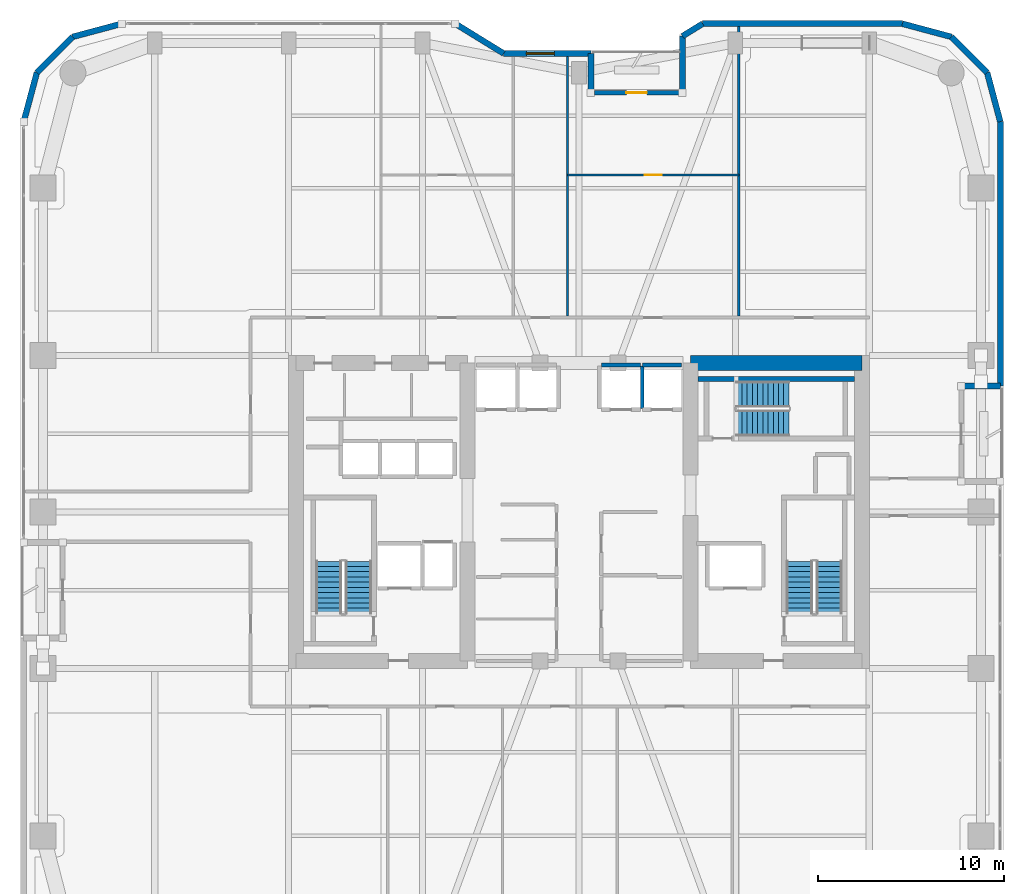
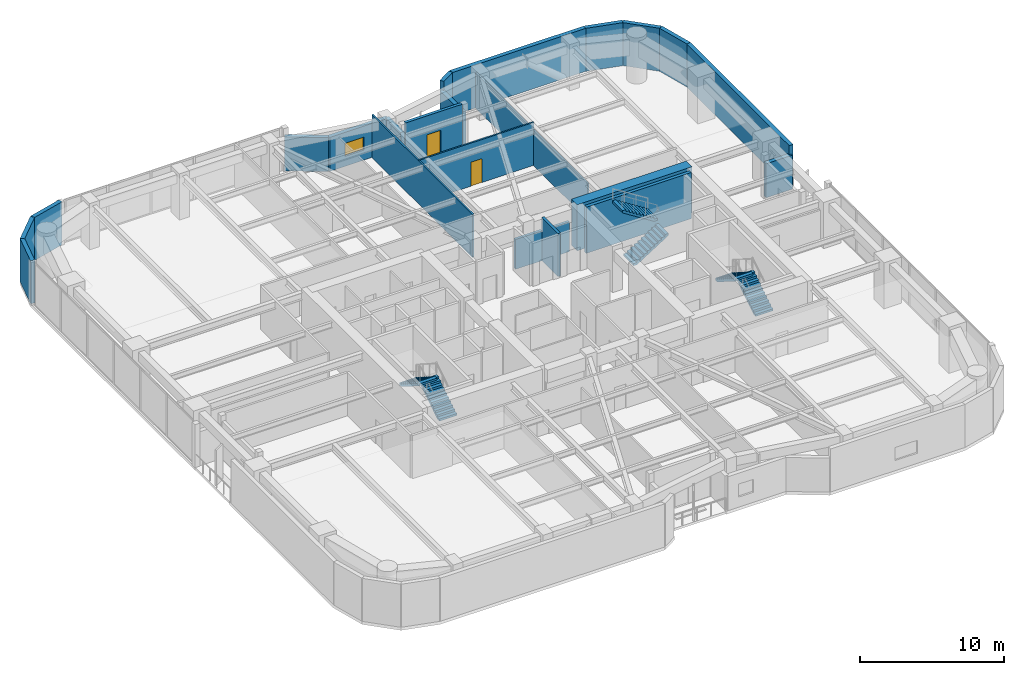
# One storey, part 21 of 24: 23 walls, 6 stair flights, 2 doors, 1 window, 3 openings, 3 elements without a shape of their own.
"""IFC4 building model written with IfcOpenShell, lengths in metres."""

from ifc_helpers import new_model, si_unit, direction, frame, frame_2d, origin, place, context, subcontext, project, spatial, polyline, rectangle, outline, extrude, material, layer, layer_set, type_object, element, fill, aggregate, save


model = new_model("IFC4")

# Units and contexts
model_context = context("Model", 3, precision=1e-05, world=origin(), true_north=direction((0.0, 1.0)))
body_context = subcontext(model_context, "Body", "Model", "MODEL_VIEW")
ifc_project = project(units=[si_unit("LENGTHUNIT", "METRE"), si_unit("AREAUNIT", "SQUARE_METRE"), si_unit("VOLUMEUNIT", "CUBIC_METRE"), si_unit("PLANEANGLEUNIT", "RADIAN"), si_unit("MASSUNIT", "GRAM", prefix="KILO")], contexts=[model_context])

# Site, building, storey
site_placement = place(None, origin())
site = spatial("IfcSite", under=ifc_project, at=site_placement, CompositionType="ELEMENT")
building_placement = place(site_placement, origin())
building = spatial("IfcBuilding", under=site, at=building_placement, Name="Kiyonajd Concourse Tower", CompositionType="ELEMENT")
storey_placement = place(building_placement, frame((0.0, 0.0, 133.800048828125)))
storey = spatial("IfcBuildingStorey", under=building, at=storey_placement, Name="L34", CompositionType="ELEMENT", Elevation=133.800048828125)

# Walls
ifc_material_1 = material(Name="Concrete C70/85", Category="concrete")
ifc_layer_1 = layer(ifc_material_1, 0.800048828125)
ifc_layer_set_1 = layer_set([ifc_layer_1], Name="Concrete C70/85")
wall_type_1 = type_object("IfcWallType", Name="WL-CORE-800", PredefinedType="SHEAR", material=ifc_layer_set_1)
wall_1_placement = place(storey_placement, frame((54.0, 44.0, 0.0), z_axis=(0.0, 0.0, 1.0), x_axis=(1.0, 0.0, 0.0)))
element("IfcWall", 1, at=wall_1_placement, inside=storey, type_object=wall_type_1, Name="L34 East Core North Shear Wall", PredefinedType="SHEAR", context=body_context, shape_type="SweptSolid", body=[
    extrude(rectangle(XDim=9.199951171875, YDim=0.800048828125, at=frame_2d((4.60009765625, 0.0))), origin(), (0.0, 0.0, 1.0), 3.89990234375),
])
ifc_material_2 = material(Name="Precast concrete C50/60", Category="concrete")
ifc_layer_2 = layer(ifc_material_2, 0.320068359375)
ifc_layer_set_2 = layer_set([ifc_layer_2], Name="Precast concrete C50/60")
wall_type_2 = type_object("IfcWallType", Name="WL-EXT-320", PredefinedType="SOLIDWALL", material=ifc_layer_set_2)
wall_2_placement = place(storey_placement, frame((18.159912109375, 56.97900390625, 0.0), z_axis=(0.0, 0.0, 1.0), x_axis=(0.25869736047, 0.965958423373, 0.0)))
element("IfcWall", 2, at=wall_2_placement, inside=storey, type_object=wall_type_2, Name="L34 Exterior Concrete Frame Wall 06", PredefinedType="SOLIDWALL", context=body_context, shape_type="SweptSolid", body=[
    extrude(rectangle(XDim=2.731201171875, YDim=0.320068359375, at=frame_2d((1.36572265625, 0.0))), origin(), (0.0, 0.0, 1.0), 3.639892578125),
])
wall_3_placement = place(storey_placement, frame((18.866455078125, 59.6171875, 0.0), z_axis=(0.0, 0.0, 1.0), x_axis=(0.707106781187, 0.707106781187, 0.0)))
element("IfcWall", 3, at=wall_3_placement, inside=storey, type_object=wall_type_2, Name="L34 Exterior Concrete Frame Wall 07", PredefinedType="SOLIDWALL", context=body_context, shape_type="SweptSolid", body=[
    extrude(rectangle(XDim=2.7099609375, YDim=0.320068359375, at=frame_2d((1.35498046875, 0.0))), origin(), (0.0, 0.0, 1.0), 3.639892578125),
])
wall_4_placement = place(storey_placement, frame((20.78271484375, 61.533447265625, 0.0), z_axis=(0.0, 0.0, 1.0), x_axis=(0.965964405026, 0.25867502435, 0.0)))
element("IfcWall", 4, at=wall_4_placement, inside=storey, type_object=wall_type_2, Name="L34 Exterior Concrete Frame Wall 08", PredefinedType="SOLIDWALL", context=body_context, shape_type="SweptSolid", body=[
    extrude(rectangle(XDim=2.7314453125, YDim=0.320068359375, at=frame_2d((1.36572265625, 0.0))), origin(), (0.0, 0.0, 1.0), 3.639892578125),
])
wall_5_placement = place(storey_placement, frame((41.354736328125, 62.239990234375, 0.0), z_axis=(0.0, 0.0, 1.0), x_axis=(0.851630857047, -0.524142044989, 0.0)))
element("IfcWall", 5, at=wall_5_placement, inside=storey, type_object=wall_type_2, Name="L34 Exterior Concrete Frame Wall 10", PredefinedType="SOLIDWALL", context=body_context, shape_type="SweptSolid", body=[
    extrude(rectangle(XDim=3.052734375, YDim=0.320068359375, at=frame_2d((1.5263671875, 0.0))), origin(), (0.0, 0.0, 1.0), 2.875),
])

# Wall, opening, window
wall_6_placement = place(storey_placement, frame((43.95458984375, 60.639892578125, 0.0), z_axis=(0.0, 0.0, 1.0), x_axis=(1.0, 0.0, 0.0)))
wall_6 = element("IfcWall", 6, at=wall_6_placement, inside=storey, type_object=wall_type_2, Name="L34 Exterior Concrete Frame Wall 11", PredefinedType="SOLIDWALL", context=body_context, shape_type="SweptSolid", body=[
    extrude(rectangle(XDim=4.685302734375, YDim=0.320068359375, at=frame_2d((2.3427734375, 0.0))), origin(), (0.0, 0.0, 1.0), 2.875),
])
opening_1_placement = place(wall_6_placement, frame((1.219970703125, 0.0, 0.85009765625)))
opening_1 = element("IfcOpeningElement", 7, at=opening_1_placement, cuts=wall_6, Name="Opening WN2", PredefinedType="OPENING", context=body_context, shape_type="SweptSolid", body=[
    extrude(rectangle(XDim=1.5, YDim=1.10009765625, at=frame_2d((0.75, 0.550048828125))), frame((0.0, 0.169921875, 0.0), z_axis=(0.0, -1.0, 0.0), x_axis=(1.0, 0.0, 0.0)), (0.0, 0.0, 1.0), 0.340087890625),
])
ifc_material_3 = material(Name="Double Low-E Insulated Glass", Category="glass")
window_type = type_object("IfcWindowType", Name="WN-VIS-1500x1100", PartitioningType="SINGLE_PANEL", PredefinedType="WINDOW", material=ifc_material_3)
window_placement = place(opening_1_placement, origin())
window = element("IfcWindow", 8, at=window_placement, inside=storey, type_object=window_type, Name="L34 Modular Facade Vision Window 11", OverallHeight=1.10009765625, OverallWidth=1.5, PartitioningType="SINGLE_PANEL", PredefinedType="WINDOW", context=body_context, shape_type="SweptSolid", body=[
    extrude(rectangle(XDim=1.5, YDim=1.10009765625, at=frame_2d((0.75, 0.550048828125))), frame((0.0, 0.030029296875, 0.0), z_axis=(0.0, -1.0, 0.0), x_axis=(1.0, 0.0, 0.0)), (0.0, 0.0, 1.0), 0.06005859375),
])
fill(opening_1, window)

# Walls
wall_7_placement = place(storey_placement, frame((48.639892578125, 60.639892578125, 0.0), z_axis=(0.0, 0.0, 1.0), x_axis=(0.0, -1.0, 0.0)))
element("IfcWall", 9, at=wall_7_placement, inside=storey, type_object=wall_type_2, Name="L34 Exterior Concrete Frame Wall 12", PredefinedType="SOLIDWALL", context=body_context, shape_type="SweptSolid", body=[
    extrude(rectangle(XDim=2.099853515625, YDim=0.320068359375, at=frame_2d((1.0498046875, 0.0))), origin(), (0.0, 0.0, 1.0), 2.875),
])
wall_8_placement = place(storey_placement, frame((53.56005859375, 58.5400390625, 0.0), z_axis=(0.0, 0.0, 1.0), x_axis=(0.0, 1.0, 0.0)))
element("IfcWall", 10, at=wall_8_placement, inside=storey, type_object=wall_type_2, Name="L34 Exterior Concrete Frame Wall 14", PredefinedType="SOLIDWALL", context=body_context, shape_type="SweptSolid", body=[
    extrude(rectangle(XDim=3.032470703125, YDim=0.320068359375, at=frame_2d((1.51611328125, 0.0))), origin(), (0.0, 0.0, 1.0), 2.875),
])
wall_9_placement = place(storey_placement, frame((53.56005859375, 61.572509765625, 0.0), z_axis=(0.0, 0.0, 1.0), x_axis=(0.851776724646, 0.523904964045, 0.0)))
element("IfcWall", 11, at=wall_9_placement, inside=storey, type_object=wall_type_2, Name="L34 Exterior Concrete Frame Wall 15", PredefinedType="SOLIDWALL", context=body_context, shape_type="SweptSolid", body=[
    extrude(rectangle(XDim=1.274169921875, YDim=0.320068359375, at=frame_2d((0.63720703125, 0.0))), origin(), (0.0, 0.0, 1.0), 3.639892578125),
])
wall_10_placement = place(storey_placement, frame((54.645263671875, 62.239990234375, 0.0), z_axis=(0.0, 0.0, 1.0), x_axis=(1.0, 0.0, 0.0)))
element("IfcWall", 12, at=wall_10_placement, inside=storey, type_object=wall_type_2, Name="L34 Exterior Concrete Frame Wall 16", PredefinedType="SOLIDWALL", context=body_context, shape_type="SweptSolid", body=[
    extrude(rectangle(XDim=10.733642578125, YDim=0.320068359375, at=frame_2d((5.36669921875, 0.0))), origin(), (0.0, 0.0, 1.0), 3.639892578125),
])
wall_11_placement = place(storey_placement, frame((65.37890625, 62.239990234375, 0.0), z_axis=(0.0, 0.0, 1.0), x_axis=(0.965958423373, -0.25869736047, 0.0)))
element("IfcWall", 13, at=wall_11_placement, inside=storey, type_object=wall_type_2, Name="L34 Exterior Concrete Frame Wall 17", PredefinedType="SOLIDWALL", context=body_context, shape_type="SweptSolid", body=[
    extrude(rectangle(XDim=2.731201171875, YDim=0.320068359375, at=frame_2d((1.36572265625, 0.0))), origin(), (0.0, 0.0, 1.0), 3.639892578125),
])
wall_12_placement = place(storey_placement, frame((68.01708984375, 61.533447265625, 0.0), z_axis=(0.0, 0.0, 1.0), x_axis=(0.707151821269, -0.707061738235, 0.0)))
element("IfcWall", 14, at=wall_12_placement, inside=storey, type_object=wall_type_2, Name="L34 Exterior Concrete Frame Wall 18", PredefinedType="SOLIDWALL", context=body_context, shape_type="SweptSolid", body=[
    extrude(rectangle(XDim=2.710205078125, YDim=0.320068359375, at=frame_2d((1.35498046875, 0.0))), origin(), (0.0, 0.0, 1.0), 3.639892578125),
])
wall_13_placement = place(storey_placement, frame((69.93359375, 59.6171875, 0.0), z_axis=(0.0, 0.0, 1.0), x_axis=(0.258613949072, -0.965980758269, 0.0)))
element("IfcWall", 15, at=wall_13_placement, inside=storey, type_object=wall_type_2, Name="L34 Exterior Concrete Frame Wall 19", PredefinedType="SOLIDWALL", context=body_context, shape_type="SweptSolid", body=[
    extrude(rectangle(XDim=2.731201171875, YDim=0.320068359375, at=frame_2d((1.36572265625, 0.0))), origin(), (0.0, 0.0, 1.0), 3.639892578125),
])
wall_14_placement = place(storey_placement, frame((70.639892578125, 56.97900390625, 0.0), z_axis=(0.0, 0.0, 1.0), x_axis=(0.0, -1.0, 0.0)))
element("IfcWall", 16, at=wall_14_placement, inside=storey, type_object=wall_type_2, Name="L34 Exterior Concrete Frame Wall 20", PredefinedType="SOLIDWALL", context=body_context, shape_type="SweptSolid", body=[
    extrude(rectangle(XDim=14.218994140625, YDim=0.320068359375, at=frame_2d((7.109375, 0.0))), origin(), (0.0, 0.0, 1.0), 3.639892578125),
])
wall_15_placement = place(storey_placement, frame((70.639892578125, 42.760009765625, 0.0), z_axis=(0.0, 0.0, 1.0), x_axis=(-1.0, 0.0, 0.0)))
element("IfcWall", 17, at=wall_15_placement, inside=storey, type_object=wall_type_2, Name="L34 Exterior Concrete Frame Wall 21", PredefinedType="SOLIDWALL", context=body_context, shape_type="SweptSolid", body=[
    extrude(rectangle(XDim=2.099853515625, YDim=0.320068359375, at=frame_2d((1.0498046875, 0.0))), origin(), (0.0, 0.0, 1.0), 2.875),
])

# Wall, opening, door
ifc_layer_3 = layer(ifc_material_2, 0.239990234375)
ifc_layer_set_3 = layer_set([ifc_layer_3], Name="Precast concrete C50/60")
wall_type_3 = type_object("IfcWallType", Name="WL-LOG-240", PredefinedType="SOLIDWALL", material=ifc_layer_set_3)
wall_16_placement = place(storey_placement, frame((48.8349609375, 58.5400390625, 0.0), z_axis=(0.0, 0.0, 1.0), x_axis=(1.0, 0.0, 0.0)))
wall_16 = element("IfcWall", 18, at=wall_16_placement, inside=storey, type_object=wall_type_3, Name="L34 Recessed Loggia Thermal Wall LOG-N", PredefinedType="SOLIDWALL", context=body_context, shape_type="SweptSolid", body=[
    extrude(rectangle(XDim=4.530029296875, YDim=0.239990234375, at=frame_2d((2.26513671875, 0.0))), origin(), (0.0, 0.0, 1.0), 3.639892578125),
])
opening_2_placement = place(wall_16_placement, frame((1.715087890625, 0.0, 0.0)))
opening_2 = element("IfcOpeningElement", 19, at=opening_2_placement, cuts=wall_16, Name="Opening DL2", PredefinedType="OPENING", context=body_context, shape_type="SweptSolid", body=[
    extrude(rectangle(XDim=1.10009765625, YDim=2.0400390625, at=frame_2d((0.550048828125, 1.02001953125))), frame((0.0, 0.1298828125, 0.0), z_axis=(0.0, -1.0, 0.0), x_axis=(1.0, 0.0, 0.0)), (0.0, 0.0, 1.0), 0.260009765625),
])
ifc_material_4 = material(Name="Thermally Broken Anodised Aluminium", Category="aluminium")
door_type_1 = type_object("IfcDoorType", Name="DR-LOG-1100", OperationType="NOTDEFINED", PredefinedType="DOOR", material=ifc_material_4)
door_1_placement = place(opening_2_placement, origin())
door_1 = element("IfcDoor", 20, at=door_1_placement, inside=storey, type_object=door_type_1, Name="L34 Engawa Loggia Access Door LOG-N", OperationType="SINGLE_SWING_RIGHT", OverallHeight=2.0400390625, OverallWidth=1.10009765625, PredefinedType="DOOR", context=body_context, shape_type="SweptSolid", body=[
    extrude(rectangle(XDim=1.10009765625, YDim=2.0400390625, at=frame_2d((0.550048828125, 1.02001953125))), frame((0.0, 0.02490234375, 0.0), z_axis=(0.0, -1.0, 0.0), x_axis=(1.0, 0.0, 0.0)), (0.0, 0.0, 1.0), 0.050048828125),
])
fill(opening_2, door_1)

ifc_material_5 = material(Name="Gypsum Board on Cold-Formed Steel Stud", Category="steel")
ifc_layer_4 = layer(ifc_material_5, 0.125)
ifc_layer_set_4 = layer_set([ifc_layer_4], Name="Gypsum Board on Cold-Formed Steel Stud")
wall_type_4 = type_object("IfcWallType", Name="WL-PART-125", PredefinedType="PARTITIONING", material=ifc_layer_set_4)
wall_17_placement = place(storey_placement, frame((47.3798828125, 54.110107421875, 0.0), z_axis=(0.0, 0.0, 1.0), x_axis=(1.0, 0.0, 0.0)))
wall_17 = element("IfcWall", 21, at=wall_17_placement, inside=storey, type_object=wall_type_4, Name="L34 Interior Partition Wall", PredefinedType="PARTITIONING", context=body_context, shape_type="SweptSolid", body=[
    extrude(rectangle(XDim=9.210205078125, YDim=0.125, at=frame_2d((4.60498046875, 0.0))), origin(), (0.0, 0.0, 1.0), 3.639892578125),
])
opening_3_placement = place(wall_17_placement, frame((4.155029296875, 0.0, 0.0)))
opening_3 = element("IfcOpeningElement", 22, at=opening_3_placement, cuts=wall_17, Name="Opening DI2", PredefinedType="OPENING", context=body_context, shape_type="SweptSolid", body=[
    extrude(rectangle(XDim=0.89990234375, YDim=2.02001953125, at=frame_2d((0.449951171875, 1.010009765625))), frame((0.0, 0.072509765625, 0.0), z_axis=(0.0, -1.0, 0.0), x_axis=(1.0, 0.0, 0.0)), (0.0, 0.0, 1.0), 0.14501953125),
])
ifc_material_6 = material(Name="Natural Oak Acoustic Timber Veneer", Category="wood")
door_type_2 = type_object("IfcDoorType", Name="DR-INT-900", OperationType="NOTDEFINED", PredefinedType="DOOR", material=ifc_material_6)
door_2_placement = place(opening_3_placement, origin())
door_2 = element("IfcDoor", 23, at=door_2_placement, inside=storey, type_object=door_type_2, Name="L34 Interior Door", OperationType="SINGLE_SWING_LEFT", OverallHeight=2.02001953125, OverallWidth=0.89990234375, PredefinedType="DOOR", context=body_context, shape_type="SweptSolid", body=[
    extrude(rectangle(XDim=0.89990234375, YDim=2.02001953125, at=frame_2d((0.449951171875, 1.010009765625))), frame((0.0, 0.02490234375, 0.0), z_axis=(0.0, -1.0, 0.0), x_axis=(1.0, 0.0, 0.0)), (0.0, 0.0, 1.0), 0.050048828125),
])
fill(opening_3, door_2)

# Walls
wall_18_placement = place(storey_placement, frame((47.3798828125, 46.537109375, 0.0), z_axis=(0.0, 0.0, 1.0), x_axis=(0.0, 1.0, 0.0)))
element("IfcWall", 24, at=wall_18_placement, inside=storey, type_object=wall_type_4, Name="L34 Interior Partition Wall", PredefinedType="PARTITIONING", context=body_context, shape_type="SweptSolid", body=[
    extrude(rectangle(XDim=13.947998046875, YDim=0.125, at=frame_2d((6.97412109375, 0.0))), origin(), (0.0, 0.0, 1.0), 3.639892578125),
])
wall_19_placement = place(storey_placement, frame((56.590087890625, 46.537109375, 0.0), z_axis=(0.0, 0.0, 1.0), x_axis=(0.0, 1.0, 0.0)))
element("IfcWall", 25, at=wall_19_placement, inside=storey, type_object=wall_type_4, Name="L34 Interior Partition Wall", PredefinedType="PARTITIONING", context=body_context, shape_type="SweptSolid", body=[
    extrude(rectangle(XDim=15.5478515625, YDim=0.125, at=frame_2d((7.77392578125, 0.0))), origin(), (0.0, 0.0, 1.0), 3.0029296875),
])
ifc_layer_5 = layer(ifc_material_5, 0.2099609375)
ifc_layer_set_5 = layer_set([ifc_layer_5], Name="Gypsum Board on Cold-Formed Steel Stud")
wall_type_5 = type_object("IfcWallType", Name="WL-SHAFT-210", PredefinedType="PARTITIONING", material=ifc_layer_set_5)
wall_20_placement = place(storey_placement, frame((49.199951171875, 43.89990234375, 0.0), z_axis=(0.0, 0.0, 1.0), x_axis=(1.0, 0.0, 0.0)))
element("IfcWall", 26, at=wall_20_placement, inside=storey, type_object=wall_type_5, Name="L34 Shaft Enclosure Wall", PredefinedType="PARTITIONING", context=body_context, shape_type="SweptSolid", body=[
    extrude(rectangle(XDim=2.10009765625, YDim=0.2099609375, at=frame_2d((1.050048828125, 0.0))), origin(), (0.0, 0.0, 1.0), 2.52490234375),
])
wall_21_placement = place(storey_placement, frame((51.39990234375, 41.56005859375, 0.0), z_axis=(0.0, 0.0, 1.0), x_axis=(0.0, 1.0, 0.0)))
element("IfcWall", 27, at=wall_21_placement, inside=storey, type_object=wall_type_5, Name="L34 Shaft Enclosure Wall", PredefinedType="PARTITIONING", context=body_context, shape_type="SweptSolid", body=[
    extrude(rectangle(XDim=2.280029296875, YDim=0.2099609375, at=frame_2d((1.14013671875, 0.0))), origin(), (0.0, 0.0, 1.0), 3.639892578125),
])
wall_22_placement = place(storey_placement, frame((51.39990234375, 43.89990234375, 0.0), z_axis=(0.0, 0.0, 1.0), x_axis=(1.0, 0.0, 0.0)))
element("IfcWall", 28, at=wall_22_placement, inside=storey, type_object=wall_type_5, Name="L34 Shaft Enclosure Wall", PredefinedType="PARTITIONING", context=body_context, shape_type="SweptSolid", body=[
    extrude(rectangle(XDim=2.10009765625, YDim=0.2099609375, at=frame_2d((1.050048828125, 0.0))), origin(), (0.0, 0.0, 1.0), 2.52490234375),
])
ifc_material_7 = material(Name="Concrete C50/60", Category="concrete")
ifc_layer_6 = layer(ifc_material_7, 0.260009765625)
ifc_layer_set_6 = layer_set([ifc_layer_6], Name="Concrete C50/60")
wall_type_6 = type_object("IfcWallType", Name="WL-STAIR-260", PredefinedType="SHEAR", material=ifc_layer_set_6)
wall_23_placement = place(storey_placement, frame((54.39990234375, 43.14990234375, 0.0), z_axis=(0.0, 0.0, 1.0), x_axis=(1.0, 0.0, 0.0)))
element("IfcWall", 29, at=wall_23_placement, inside=storey, type_object=wall_type_6, Name="L34 Stair ST3 Structural North Wall", PredefinedType="SHEAR", context=body_context, shape_type="SweptSolid", body=[
    extrude(rectangle(XDim=8.400146484375, YDim=0.260009765625, at=frame_2d((4.2001953125, 0.0))), origin(), (0.0, 0.0, 1.0), 3.89990234375),
])

# Stair, stair flights
ifc_material_8 = material(Name="Concrete C40/50", Category="concrete")
stair_type = type_object("IfcStairType", Name="ST-DLG-22R", PredefinedType="HALF_TURN_STAIR", material=ifc_material_8)
stair_1_placement = place(storey_placement, origin())
stair_1 = element("IfcStair", 30, at=stair_1_placement, inside=storey, type_object=stair_type, Name="L34 Protected Exit Stair ST1", PredefinedType="HALF_TURN_STAIR")
stair_flight_type = type_object("IfcStairFlightType", Name="SF-STR-22R", PredefinedType="STRAIGHT", material=ifc_material_8)
stair_flight_1_placement = place(storey_placement, frame((36.14990234375, 30.550048828125, 0.0), z_axis=(0.0, 0.0, 1.0), x_axis=(0.0, 1.0, 0.0)))
stair_flight_1 = element("IfcStairFlight", 31, at=stair_flight_1_placement, type_object=stair_flight_type, Name="ST1 flight 1", NumberOfRisers=11, NumberOfTreads=10, PredefinedType="STRAIGHT", RiserHeight=0.177272727, TreadLength=0.28, context=body_context, shape_type="SweptSolid", body=[
    extrude(outline(polyline([(0.0, 0.0), (0.0, 0.17724609375), (0.280029296875, 0.17724609375), (0.280029296875, 0.3544921875), (0.56005859375, 0.3544921875), (0.56005859375, 0.53173828125), (0.840087890625, 0.53173828125), (0.840087890625, 0.708984375), (1.1201171875, 0.708984375), (1.1201171875, 0.886474609375), (1.39990234375, 0.886474609375), (1.39990234375, 1.063720703125), (1.679931640625, 1.063720703125), (1.679931640625, 1.240966796875), (1.9599609375, 1.240966796875), (1.9599609375, 1.418212890625), (2.239990234375, 1.418212890625), (2.239990234375, 1.595458984375), (2.52001953125, 1.595458984375), (2.52001953125, 1.772705078125), (2.800048828125, 1.772705078125), (2.800048828125, 1.949951171875), (2.800048828125, 1.59521484375), (0.2802734375, 0.0), (0.0, 0.0)])), frame((0.0, 0.699951171875, 0.0), z_axis=(0.0, -1.0, 0.0), x_axis=(1.0, 0.0, 0.0)), (0.0, 0.0, 1.0), 1.39990234375),
])
stair_flight_2_placement = place(storey_placement, frame((34.550048828125, 33.35009765625, 1.949951171875), z_axis=(0.0, 0.0, 1.0), x_axis=(0.0, -1.0, 0.0)))
stair_flight_2 = element("IfcStairFlight", 32, at=stair_flight_2_placement, type_object=stair_flight_type, Name="ST1 flight 2", NumberOfRisers=11, NumberOfTreads=10, PredefinedType="STRAIGHT", RiserHeight=0.177272727, TreadLength=0.28, context=body_context, shape_type="SweptSolid", body=[
    extrude(outline(polyline([(0.0, 0.0), (0.0, 0.17724609375), (0.280029296875, 0.17724609375), (0.280029296875, 0.3544921875), (0.56005859375, 0.3544921875), (0.56005859375, 0.53173828125), (0.840087890625, 0.53173828125), (0.840087890625, 0.708984375), (1.1201171875, 0.708984375), (1.1201171875, 0.886474609375), (1.39990234375, 0.886474609375), (1.39990234375, 1.063720703125), (1.679931640625, 1.063720703125), (1.679931640625, 1.240966796875), (1.9599609375, 1.240966796875), (1.9599609375, 1.418212890625), (2.239990234375, 1.418212890625), (2.239990234375, 1.595458984375), (2.52001953125, 1.595458984375), (2.52001953125, 1.772705078125), (2.800048828125, 1.772705078125), (2.800048828125, 1.949951171875), (2.800048828125, 1.59521484375), (0.2802734375, 0.0), (0.0, 0.0)])), frame((0.0, 0.699951171875, 0.0), z_axis=(0.0, -1.0, 0.0), x_axis=(1.0, 0.0, 0.0)), (0.0, 0.0, 1.0), 1.39990234375),
])
aggregate(stair_1, [stair_flight_1, stair_flight_2])

stair_2_placement = place(storey_placement, origin())
stair_2 = element("IfcStair", 33, at=stair_2_placement, inside=storey, type_object=stair_type, Name="L34 Protected Exit Stair ST2", PredefinedType="HALF_TURN_STAIR")
stair_flight_3_placement = place(storey_placement, frame((61.449951171875, 30.550048828125, 0.0), z_axis=(0.0, 0.0, 1.0), x_axis=(0.0, 1.0, 0.0)))
stair_flight_3 = element("IfcStairFlight", 34, at=stair_flight_3_placement, type_object=stair_flight_type, Name="ST2 flight 1", NumberOfRisers=11, NumberOfTreads=10, PredefinedType="STRAIGHT", RiserHeight=0.177272727, TreadLength=0.28, context=body_context, shape_type="SweptSolid", body=[
    extrude(outline(polyline([(0.0, 0.0), (0.0, 0.17724609375), (0.280029296875, 0.17724609375), (0.280029296875, 0.3544921875), (0.56005859375, 0.3544921875), (0.56005859375, 0.53173828125), (0.840087890625, 0.53173828125), (0.840087890625, 0.708984375), (1.1201171875, 0.708984375), (1.1201171875, 0.886474609375), (1.39990234375, 0.886474609375), (1.39990234375, 1.063720703125), (1.679931640625, 1.063720703125), (1.679931640625, 1.240966796875), (1.9599609375, 1.240966796875), (1.9599609375, 1.418212890625), (2.239990234375, 1.418212890625), (2.239990234375, 1.595458984375), (2.52001953125, 1.595458984375), (2.52001953125, 1.772705078125), (2.800048828125, 1.772705078125), (2.800048828125, 1.949951171875), (2.800048828125, 1.59521484375), (0.2802734375, 0.0), (0.0, 0.0)])), frame((0.0, 0.699951171875, 0.0), z_axis=(0.0, -1.0, 0.0), x_axis=(1.0, 0.0, 0.0)), (0.0, 0.0, 1.0), 1.39990234375),
])
stair_flight_4_placement = place(storey_placement, frame((59.85009765625, 33.35009765625, 1.949951171875), z_axis=(0.0, 0.0, 1.0), x_axis=(0.0, -1.0, 0.0)))
stair_flight_4 = element("IfcStairFlight", 35, at=stair_flight_4_placement, type_object=stair_flight_type, Name="ST2 flight 2", NumberOfRisers=11, NumberOfTreads=10, PredefinedType="STRAIGHT", RiserHeight=0.177272727, TreadLength=0.28, context=body_context, shape_type="SweptSolid", body=[
    extrude(outline(polyline([(0.0, 0.0), (0.0, 0.17724609375), (0.280029296875, 0.17724609375), (0.280029296875, 0.3544921875), (0.56005859375, 0.3544921875), (0.56005859375, 0.53173828125), (0.840087890625, 0.53173828125), (0.840087890625, 0.708984375), (1.1201171875, 0.708984375), (1.1201171875, 0.886474609375), (1.39990234375, 0.886474609375), (1.39990234375, 1.063720703125), (1.679931640625, 1.063720703125), (1.679931640625, 1.240966796875), (1.9599609375, 1.240966796875), (1.9599609375, 1.418212890625), (2.239990234375, 1.418212890625), (2.239990234375, 1.595458984375), (2.52001953125, 1.595458984375), (2.52001953125, 1.772705078125), (2.800048828125, 1.772705078125), (2.800048828125, 1.949951171875), (2.800048828125, 1.59521484375), (0.2802734375, 0.0), (0.0, 0.0)])), frame((0.0, 0.699951171875, 0.0), z_axis=(0.0, -1.0, 0.0), x_axis=(1.0, 0.0, 0.0)), (0.0, 0.0, 1.0), 1.39990234375),
])
aggregate(stair_2, [stair_flight_3, stair_flight_4])

stair_3_placement = place(storey_placement, origin())
stair_3 = element("IfcStair", 36, at=stair_3_placement, inside=storey, type_object=stair_type, Name="L34 Protected Exit Stair ST3", PredefinedType="HALF_TURN_STAIR")
stair_flight_5_placement = place(storey_placement, frame((56.47998046875, 40.780029296875, 0.0), z_axis=(0.0, 0.0, 1.0), x_axis=(1.0, 0.0, 0.0)))
stair_flight_5 = element("IfcStairFlight", 37, at=stair_flight_5_placement, type_object=stair_flight_type, Name="ST3 flight 1", NumberOfRisers=11, NumberOfTreads=10, PredefinedType="STRAIGHT", RiserHeight=0.177272727, TreadLength=0.28, context=body_context, shape_type="SweptSolid", body=[
    extrude(outline(polyline([(0.0, 0.0), (0.0, 0.17724609375), (0.280029296875, 0.17724609375), (0.280029296875, 0.3544921875), (0.56005859375, 0.3544921875), (0.56005859375, 0.53173828125), (0.840087890625, 0.53173828125), (0.840087890625, 0.708984375), (1.1201171875, 0.708984375), (1.1201171875, 0.886474609375), (1.39990234375, 0.886474609375), (1.39990234375, 1.063720703125), (1.679931640625, 1.063720703125), (1.679931640625, 1.240966796875), (1.9599609375, 1.240966796875), (1.9599609375, 1.418212890625), (2.239990234375, 1.418212890625), (2.239990234375, 1.595458984375), (2.52001953125, 1.595458984375), (2.52001953125, 1.772705078125), (2.800048828125, 1.772705078125), (2.800048828125, 1.949951171875), (2.800048828125, 1.59521484375), (0.2802734375, 0.0), (0.0, 0.0)])), frame((0.0, 0.699951171875, 0.0), z_axis=(0.0, -1.0, 0.0), x_axis=(1.0, 0.0, 0.0)), (0.0, 0.0, 1.0), 1.39990234375),
])
stair_flight_6_placement = place(storey_placement, frame((59.280029296875, 42.320068359375, 1.949951171875), z_axis=(0.0, 0.0, 1.0), x_axis=(-1.0, 0.0, 0.0)))
stair_flight_6 = element("IfcStairFlight", 38, at=stair_flight_6_placement, type_object=stair_flight_type, Name="ST3 flight 2", NumberOfRisers=11, NumberOfTreads=10, PredefinedType="STRAIGHT", RiserHeight=0.177272727, TreadLength=0.28, context=body_context, shape_type="SweptSolid", body=[
    extrude(outline(polyline([(0.0, 0.0), (0.0, 0.17724609375), (0.280029296875, 0.17724609375), (0.280029296875, 0.3544921875), (0.56005859375, 0.3544921875), (0.56005859375, 0.53173828125), (0.840087890625, 0.53173828125), (0.840087890625, 0.708984375), (1.1201171875, 0.708984375), (1.1201171875, 0.886474609375), (1.39990234375, 0.886474609375), (1.39990234375, 1.063720703125), (1.679931640625, 1.063720703125), (1.679931640625, 1.240966796875), (1.9599609375, 1.240966796875), (1.9599609375, 1.418212890625), (2.239990234375, 1.418212890625), (2.239990234375, 1.595458984375), (2.52001953125, 1.595458984375), (2.52001953125, 1.772705078125), (2.800048828125, 1.772705078125), (2.800048828125, 1.949951171875), (2.800048828125, 1.59521484375), (0.2802734375, 0.0), (0.0, 0.0)])), frame((0.0, 0.699951171875, 0.0), z_axis=(0.0, -1.0, 0.0), x_axis=(1.0, 0.0, 0.0)), (0.0, 0.0, 1.0), 1.39990234375),
])
aggregate(stair_3, [stair_flight_5, stair_flight_6])

save(model, "model.ifc")
